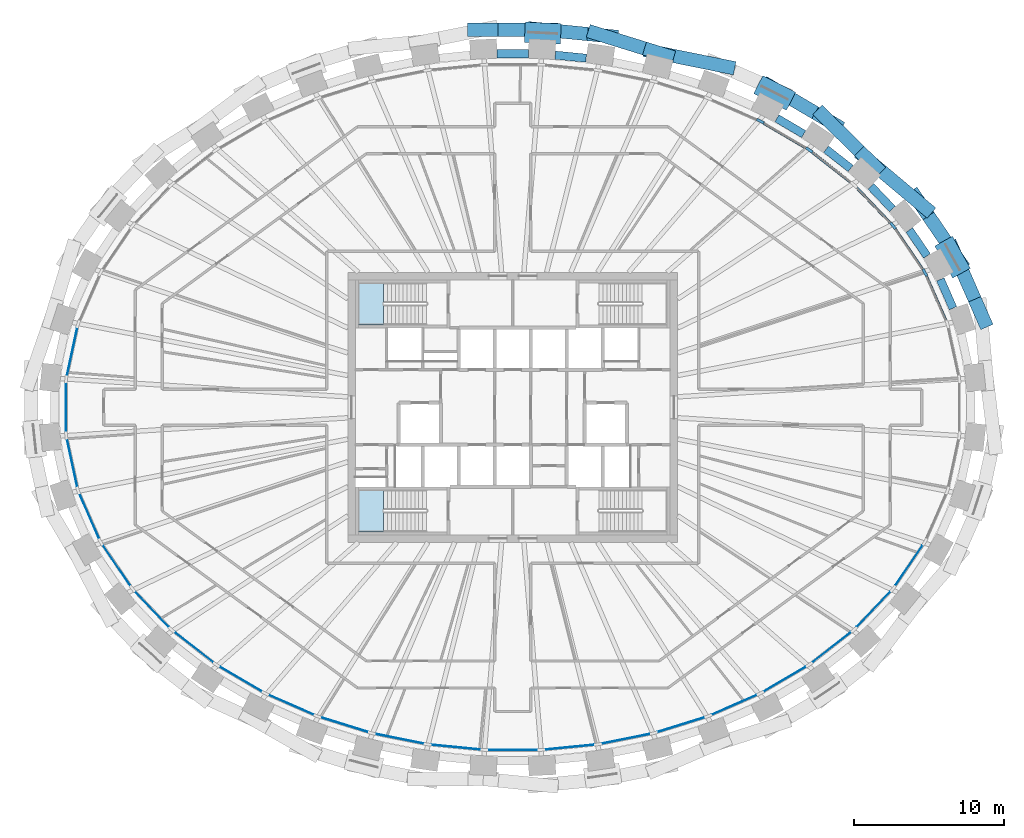
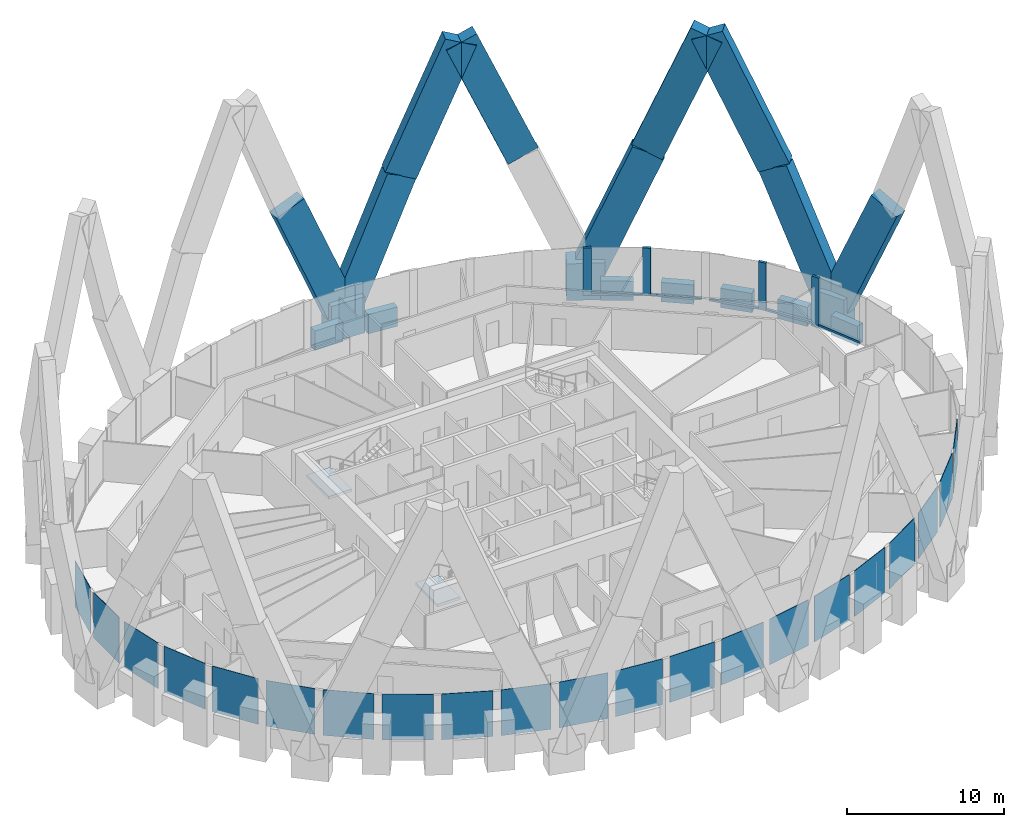
# One storey, part 5 of 14: 21 members, 21 plates, 7 beams, 2 slabs, 3 elements without a shape of their own.
"""IFC4 building model written with IfcOpenShell, lengths in metres."""

from ifc_helpers import new_model, si_unit, direction, frame, origin, origin_2d, place, context, subcontext, project, spatial, polyline, rectangle, outline, extrude, source, transform, mapped, material, layer, layer_set, material_profile, profile_set, type_object, element, aggregate, save


model = new_model("IFC4")

# Units and contexts
model_context = context("Model", 3, precision=1e-05, world=origin(), true_north=direction((0.0, 1.0)))
body_context = subcontext(model_context, "Body", "Model", "MODEL_VIEW")
ifc_project = project(units=[si_unit("LENGTHUNIT", "METRE"), si_unit("AREAUNIT", "SQUARE_METRE"), si_unit("VOLUMEUNIT", "CUBIC_METRE"), si_unit("PLANEANGLEUNIT", "RADIAN"), si_unit("MASSUNIT", "GRAM", prefix="KILO")], contexts=[model_context])

# Site, building, storey
site_placement = place(None, origin())
site = spatial("IfcSite", under=ifc_project, at=site_placement, CompositionType="ELEMENT")
building_placement = place(site_placement, origin())
building = spatial("IfcBuilding", under=site, at=building_placement, Name="Embergate Tower", CompositionType="ELEMENT")
storey_placement = place(building_placement, frame((0.0, 0.0, 297.39990234375)))
storey = spatial("IfcBuildingStorey", under=building, at=storey_placement, Name="L69", CompositionType="ELEMENT", Elevation=297.39990234375)

# Beams
ifc_material_1 = material(Name="Concrete C50", Category="concrete")
ifc_material_profile_1 = material_profile(ifc_material_1, rectangle(XDim=0.550048828125, YDim=1.5, at=origin_2d()), Name="RC 550x1500")
ifc_profile_set_1 = profile_set([ifc_material_profile_1], Name="Concrete C50")
beam_type = type_object("IfcBeamType", Name="Spandrel beam RC 550x1500 C50", PredefinedType="BEAM", material=ifc_profile_set_1)
shared_shape_1 = source(origin(), body_context, "Body", "SweptSolid", [
    extrude(rectangle(XDim=0.550048828125, YDim=1.5, at=origin_2d()), origin(), (0.0, 0.0, 1.0), 2.097900390625),
])
beam_1_placement = place(storey_placement, frame((29.35107421875, 6.60791015625, 0.0), z_axis=(-0.401825860592, 0.91571610107, 0.0), x_axis=(-0.91571610107, -0.401825860592, 0.0)))
element("IfcBeam", 1, at=beam_1_placement, inside=storey, type_object=beam_type, Name="SPN-L69-01", PredefinedType="BEAM", context=body_context, shape_type="MappedRepresentation", body=[
    mapped(shared_shape_1, transform((0.0, 0.0, 0.0))),
])
shared_shape_2 = source(origin(), body_context, "Body", "SweptSolid", [
    extrude(rectangle(XDim=0.550048828125, YDim=1.5, at=origin_2d()), origin(), (0.0, 0.0, 1.0), 2.09033203125),
])
beam_2_placement = place(storey_placement, frame((27.618896484375, 10.093994140625, 0.0), z_axis=(-0.562009695033, 0.827130644269, 0.0), x_axis=(-0.827130644269, -0.562009695033, 0.0)))
element("IfcBeam", 2, at=beam_2_placement, inside=storey, type_object=beam_type, Name="SPN-L69-02", PredefinedType="BEAM", context=body_context, shape_type="MappedRepresentation", body=[
    mapped(shared_shape_2, transform((0.0, 0.0, 0.0))),
])
shared_shape_3 = source(origin(), body_context, "Body", "SweptSolid", [
    extrude(rectangle(XDim=0.550048828125, YDim=1.5, at=origin_2d()), origin(), (0.0, 0.0, 1.0), 2.08447265625),
])
beam_3_placement = place(storey_placement, frame((25.31298828125, 13.222900390625, 0.0), z_axis=(-0.690339235394, 0.72348582576, 0.0), x_axis=(-0.72348582576, -0.690339235394, 0.0)))
element("IfcBeam", 3, at=beam_3_placement, inside=storey, type_object=beam_type, Name="SPN-L69-03", PredefinedType="BEAM", context=body_context, shape_type="MappedRepresentation", body=[
    mapped(shared_shape_3, transform((0.0, 0.0, 0.0))),
])
shared_shape_4 = source(origin(), body_context, "Body", "SweptSolid", [
    extrude(rectangle(XDim=0.550048828125, YDim=1.5, at=origin_2d()), origin(), (0.0, 0.0, 1.0), 2.0791015625),
])
beam_4_placement = place(storey_placement, frame((22.527099609375, 15.925048828125, 0.0), z_axis=(-0.788383845435, 0.615183641084, 0.0), x_axis=(-0.615183641084, -0.788383845435, 0.0)))
element("IfcBeam", 4, at=beam_4_placement, inside=storey, type_object=beam_type, Name="SPN-L69-04", PredefinedType="BEAM", context=body_context, shape_type="MappedRepresentation", body=[
    mapped(shared_shape_4, transform((0.0, 0.0, 0.0))),
])
shared_shape_5 = source(origin(), body_context, "Body", "SweptSolid", [
    extrude(rectangle(XDim=0.550048828125, YDim=1.5, at=origin_2d()), origin(), (0.0, 0.0, 1.0), 2.074462890625),
])
beam_5_placement = place(storey_placement, frame((19.39892578125, 18.216064453125, 0.0), z_axis=(-0.861864620017, 0.507138419726, 0.0), x_axis=(-0.507138419726, -0.861864620017, 0.0)))
element("IfcBeam", 5, at=beam_5_placement, inside=storey, type_object=beam_type, Name="SPN-L69-05", PredefinedType="BEAM", context=body_context, shape_type="MappedRepresentation", body=[
    mapped(shared_shape_5, transform((0.0, 0.0, 0.0))),
])
shared_shape_6 = source(origin(), body_context, "Body", "SweptSolid", [
    extrude(rectangle(XDim=0.550048828125, YDim=1.5, at=origin_2d()), origin(), (0.0, 0.0, 1.0), 2.06884765625),
])
beam_6_placement = place(storey_placement, frame((4.89111328125, 23.279052734375, 0.0), z_axis=(-0.995226952233, 0.097587466149, 0.0), x_axis=(-0.097587466149, -0.995226952233, 0.0)))
element("IfcBeam", 6, at=beam_6_placement, inside=storey, type_object=beam_type, Name="SPN-L69-09", PredefinedType="BEAM", context=body_context, shape_type="MappedRepresentation", body=[
    mapped(shared_shape_6, transform((0.0, 0.0, 0.0))),
])
shared_shape_7 = source(origin(), body_context, "Body", "SweptSolid", [
    extrude(rectangle(XDim=0.550048828125, YDim=1.5, at=origin_2d()), origin(), (0.0, 0.0, 1.0), 2.06982421875),
])
beam_7_placement = place(storey_placement, frame((1.034912109375, 23.569091796875, 0.0), z_axis=(-1.0, 0.0, 0.0), x_axis=(0.0, -1.0, 0.0)))
element("IfcBeam", 7, at=beam_7_placement, inside=storey, type_object=beam_type, Name="SPN-L69-10", PredefinedType="BEAM", context=body_context, shape_type="MappedRepresentation", body=[
    mapped(shared_shape_7, transform((0.0, 0.0, 0.0))),
])

# Members
ifc_material_2 = material(Name="Concrete C70", Category="concrete")
ifc_material_profile_2 = material_profile(ifc_material_2, rectangle(XDim=1.35009765625, YDim=2.449951171875, at=origin_2d()), Name="RC 1350x2450")
ifc_profile_set_2 = profile_set([ifc_material_profile_2], Name="Concrete C70")
member_type_1 = type_object("IfcMemberType", Name="Lattice node block RC 1350x2450", PredefinedType="POST", material=ifc_profile_set_2)
shared_shape_8 = source(origin(), body_context, "Body", "SweptSolid", [
    extrude(rectangle(XDim=1.35009765625, YDim=2.449951171875, at=origin_2d()), origin(), (0.0, 0.0, 1.0), 2.849853515625),
])
for number, where, z_axis, x_axis, name in (
    (8, (29.322998046875, 10.012939453125, -1.4248046875), (0.0, 0.0, 1.0), (0.873500465855, 0.486823311018, 0.0), "NOD-L69-02"),
    (9, (17.462890625, 20.962890625, -1.4248046875), (0.0, 0.0, 1.0), (0.453010512651, 0.891505174089, 0.0), "NOD-L69-06"),
):
    element("IfcMember", number, at=place(storey_placement, frame(where, z_axis=z_axis, x_axis=x_axis)), inside=storey, type_object=member_type_1, Name=name, PredefinedType="POST", context=body_context, shape_type="MappedRepresentation", body=[
        mapped(shared_shape_8, transform((0.0, 0.0, 0.0))),
    ])
ifc_material_profile_3 = material_profile(ifc_material_2, rectangle(XDim=1.35009765625, YDim=2.39990234375, at=origin_2d()), Name="RC 1350x2400")
ifc_profile_set_3 = profile_set([ifc_material_profile_3], Name="Concrete C70")
member_type_2 = type_object("IfcMemberType", Name="Lattice node block RC 1350x2400", PredefinedType="POST", material=ifc_profile_set_3)
shared_shape_9 = source(origin(), body_context, "Body", "SweptSolid", [
    extrude(rectangle(XDim=1.35009765625, YDim=2.39990234375, at=origin_2d()), origin(), (0.0, 0.0, 1.0), 2.800048828125),
])
member_1_placement = place(storey_placement, frame((2.0029296875, 24.95703125, -1.39990234375), z_axis=(0.0, 0.0, 1.0), x_axis=(0.048814904854, 0.998807841912, 0.0)))
element("IfcMember", 10, at=member_1_placement, inside=storey, type_object=member_type_2, Name="NOD-L69-10", PredefinedType="POST", context=body_context, shape_type="MappedRepresentation", body=[
    mapped(shared_shape_9, transform((0.0, 0.0, 0.0))),
])
ifc_material_profile_4 = material_profile(ifc_material_2, rectangle(XDim=0.89990234375, YDim=2.199951171875, at=origin_2d()), Name="RC 900x2200")
ifc_profile_set_4 = profile_set([ifc_material_profile_4], Name="Concrete C70")
member_type_3 = type_object("IfcMemberType", Name="Lattice diagonal terracotta-faced RC 900x2200", PredefinedType="BRACE", material=ifc_profile_set_4)
shared_shape_10 = source(origin(), body_context, "Body", "SweptSolid", [
    extrude(rectangle(XDim=0.89990234375, YDim=2.199951171875, at=origin_2d()), origin(), (0.0, 0.0, 1.0), 10.615478515625),
])
member_2_placement = place(storey_placement, frame((29.52001953125, 10.123046875, 0.0), z_axis=(0.158827549764, -0.362203168439, 0.918467568403), x_axis=(0.915819352976, 0.401590478865, 0.0)))
element("IfcMember", 11, at=member_2_placement, inside=storey, type_object=member_type_3, Name="BRC-L69-02-00-S00", PredefinedType="BRACE", context=body_context, shape_type="MappedRepresentation", body=[
    mapped(shared_shape_10, transform((0.0, 0.0, 0.0))),
])
shared_shape_11 = source(origin(), body_context, "Body", "SweptSolid", [
    extrude(rectangle(XDim=0.89990234375, YDim=2.199951171875, at=origin_2d()), origin(), (0.0, 0.0, 1.0), 10.618896484375),
])
member_3_placement = place(storey_placement, frame((29.52001953125, 10.123046875, 0.0), z_axis=(-0.22329178586, 0.327235583623, 0.918181709237), x_axis=(-0.826019783112, -0.563641125103, 0.0)))
element("IfcMember", 12, at=member_3_placement, inside=storey, type_object=member_type_3, Name="BRC-L69-02-04-S00", PredefinedType="BRACE", context=body_context, shape_type="MappedRepresentation", body=[
    mapped(shared_shape_11, transform((0.0, 0.0, 0.0))),
])
shared_shape_12 = source(origin(), body_context, "Body", "SweptSolid", [
    extrude(rectangle(XDim=0.89990234375, YDim=2.199951171875, at=origin_2d()), origin(), (0.0, 0.0, 1.0), 10.668701171875),
])
member_4_placement = place(storey_placement, frame((27.14892578125, 13.597900390625, 9.75), z_axis=(-0.310989403606, 0.260965648176, 0.913883209889), x_axis=(-0.642808647129, -0.766026790116, 0.0)))
element("IfcMember", 13, at=member_4_placement, inside=storey, type_object=member_type_3, Name="BRC-L69-02-04-S01", PredefinedType="BRACE", context=body_context, shape_type="MappedRepresentation", body=[
    mapped(shared_shape_12, transform((0.0, 0.0, 0.0))),
])
shared_shape_13 = source(origin(), body_context, "Body", "SweptSolid", [
    extrude(rectangle(XDim=0.89990234375, YDim=2.199951171875, at=origin_2d()), origin(), (0.0, 0.0, 1.0), 10.551025390625),
])
member_5_placement = place(storey_placement, frame((17.56494140625, 21.1640625, 0.0), z_axis=(0.329454918888, -0.193720788097, 0.924084256266), x_axis=(0.506871950401, 0.862021360464, 0.0)))
element("IfcMember", 14, at=member_5_placement, inside=storey, type_object=member_type_3, Name="BRC-L69-06-04-S00", PredefinedType="BRACE", context=body_context, shape_type="MappedRepresentation", body=[
    mapped(shared_shape_13, transform((0.0, 0.0, 0.0))),
])
shared_shape_14 = source(origin(), body_context, "Body", "SweptSolid", [
    extrude(rectangle(XDim=0.89990234375, YDim=2.199951171875, at=origin_2d()), origin(), (0.0, 0.0, 1.0), 10.50439453125),
])
member_6_placement = place(storey_placement, frame((21.041015625, 19.1201171875, 9.75), z_axis=(0.26560520469, -0.260654740164, 0.928177236131), x_axis=(0.700424122673, 0.713726872395, 0.0)))
element("IfcMember", 15, at=member_6_placement, inside=storey, type_object=member_type_3, Name="BRC-L69-06-04-S01", PredefinedType="BRACE", context=body_context, shape_type="MappedRepresentation", body=[
    mapped(shared_shape_14, transform((0.0, 0.0, 0.0))),
])
shared_shape_15 = source(origin(), body_context, "Body", "SweptSolid", [
    extrude(rectangle(XDim=0.89990234375, YDim=2.199951171875, at=origin_2d()), origin(), (0.0, 0.0, 1.0), 10.589111328125),
])
member_7_placement = place(storey_placement, frame((13.805908203125, 22.803955078125, 9.75), z_axis=(-0.382354363646, 0.077628264737, 0.920749147768), x_axis=(-0.198967701577, -0.980006047802, 0.0)))
element("IfcMember", 16, at=member_7_placement, inside=storey, type_object=member_type_3, Name="BRC-L69-06-08-S01", PredefinedType="BRACE", context=body_context, shape_type="MappedRepresentation", body=[
    mapped(shared_shape_15, transform((0.0, 0.0, 0.0))),
])
shared_shape_16 = source(origin(), body_context, "Body", "SweptSolid", [
    extrude(rectangle(XDim=0.89990234375, YDim=2.199951171875, at=origin_2d()), origin(), (0.0, 0.0, 1.0), 10.54248046875),
])
member_8_placement = place(storey_placement, frame((2.013916015625, 25.181884765625, 0.0), z_axis=(0.378561873364, -0.037075766762, 0.924833117678), x_axis=(0.097472101938, 0.995238257576, 0.0)))
element("IfcMember", 17, at=member_8_placement, inside=storey, type_object=member_type_3, Name="BRC-L69-10-08-S00", PredefinedType="BRACE", context=body_context, shape_type="MappedRepresentation", body=[
    mapped(shared_shape_16, transform((0.0, 0.0, 0.0))),
])
shared_shape_17 = source(origin(), body_context, "Body", "SweptSolid", [
    extrude(rectangle(XDim=0.89990234375, YDim=2.199951171875, at=origin_2d()), origin(), (0.0, 0.0, 1.0), 10.511962890625),
])
member_9_placement = place(storey_placement, frame((6.0048828125, 24.791015625, 9.75), z_axis=(0.3569495848, -0.110831115796, 0.927525448537), x_axis=(0.296530163539, 0.955023487728, 0.0)))
element("IfcMember", 18, at=member_9_placement, inside=storey, type_object=member_type_3, Name="BRC-L69-10-08-S01", PredefinedType="BRACE", context=body_context, shape_type="MappedRepresentation", body=[
    mapped(shared_shape_17, transform((0.0, 0.0, 0.0))),
])
shared_shape_18 = source(origin(), body_context, "Body", "SweptSolid", [
    extrude(rectangle(XDim=0.89990234375, YDim=2.199951171875, at=origin_2d()), origin(), (0.0, 0.0, 1.0), 10.546630859375),
])
member_10_placement = place(storey_placement, frame((2.013916015625, 25.181884765625, 0.0), z_axis=(-0.381259704448, 0.0, 0.924467975521), x_axis=(0.0, -1.0, 0.0)))
element("IfcMember", 19, at=member_10_placement, inside=storey, type_object=member_type_3, Name="BRC-L69-10-12-S00", PredefinedType="BRACE", context=body_context, shape_type="MappedRepresentation", body=[
    mapped(shared_shape_18, transform((0.0, 0.0, 0.0))),
])

# Curtain wall, members, plates
ifc_material_3 = material(Name="Aluminium and glass", Category="aluminium")
curtain_wall_type = type_object("IfcCurtainWallType", Name="Recessed office glazing", PredefinedType="NOTDEFINED", material=ifc_material_3)
curtain_wall_placement = place(storey_placement, origin())
curtain_wall = element("IfcCurtainWall", 20, at=curtain_wall_placement, inside=storey, type_object=curtain_wall_type, Name="Recessed office glazing ring", ObjectType="RECESSED OFFICE GLAZING", PredefinedType="USERDEFINED")
ifc_material_4 = material(Name="Aluminium, thermally broken", Category="aluminium")
ifc_material_profile_5 = material_profile(ifc_material_4, rectangle(XDim=0.179931640625, YDim=0.52001953125, at=origin_2d()), Name="AL 520x180")
ifc_profile_set_5 = profile_set([ifc_material_profile_5], Name="Aluminium, thermally broken")
member_type_4 = type_object("IfcMemberType", Name="Office mullion", PredefinedType="MULLION", material=ifc_profile_set_5)
shared_shape_19 = source(origin(), body_context, "Body", "SweptSolid", [
    extrude(rectangle(XDim=0.179931640625, YDim=0.52001953125, at=origin_2d()), origin(), (0.0, 0.0, 1.0), 3.7001953125),
])
member_11_placement = place(storey_placement, frame((27.4755859375, 8.983642578125, 0.0), z_axis=(0.0, 0.0, 1.0), x_axis=(-0.87499344622, -0.484134763338, 0.0)))
member_11 = element("IfcMember", 21, at=member_11_placement, type_object=member_type_4, Name="CW mullion 3", PredefinedType="MULLION", context=body_context, shape_type="MappedRepresentation", body=[
    mapped(shared_shape_19, transform((0.0, 0.0, 0.0))),
])
member_12_placement = place(storey_placement, frame((25.357421875, 12.098388671875, 0.0), z_axis=(0.0, 0.0, 1.0), x_axis=(-0.777863789852, -0.628432911643, 0.0)))
member_12 = element("IfcMember", 22, at=member_12_placement, type_object=member_type_4, Name="CW mullion 4", PredefinedType="MULLION", context=body_context, shape_type="MappedRepresentation", body=[
    mapped(shared_shape_19, transform((0.0, 0.0, 0.0))),
])
member_13_placement = place(storey_placement, frame((19.770263671875, 17.15771484375, 0.0), z_axis=(0.0, 0.0, 1.0), x_axis=(-0.562211845055, -0.826993253467, 0.0)))
member_13 = element("IfcMember", 23, at=member_13_placement, type_object=member_type_4, Name="CW mullion 6", PredefinedType="MULLION", context=body_context, shape_type="MappedRepresentation", body=[
    mapped(shared_shape_19, transform((0.0, 0.0, 0.0))),
])
member_14_placement = place(storey_placement, frame((16.504638671875, 19.077880859375, 0.0), z_axis=(0.0, 0.0, 1.0), x_axis=(-0.454508271251, -0.890742516872, 0.0)))
member_14 = element("IfcMember", 24, at=member_14_placement, type_object=member_type_4, Name="CW mullion 7", PredefinedType="MULLION", context=body_context, shape_type="MappedRepresentation", body=[
    mapped(shared_shape_19, transform((0.0, 0.0, 0.0))),
])
ifc_material_profile_6 = material_profile(ifc_material_4, rectangle(XDim=0.179931640625, YDim=0.14990234375, at=origin_2d()), Name="AL 150x180")
ifc_profile_set_6 = profile_set([ifc_material_profile_6], Name="Aluminium, thermally broken")
member_type_5 = type_object("IfcMemberType", Name="Office sill transom", PredefinedType="USERDEFINED", material=ifc_profile_set_6)
shared_shape_20 = source(origin(), body_context, "Body", "SweptSolid", [
    extrude(rectangle(XDim=0.179931640625, YDim=0.14990234375, at=origin_2d()), origin(), (0.0, 0.0, 1.0), 3.23828125),
])
member_15_placement = place(storey_placement, frame((28.880859375, 5.780029296875, 0.0751953125), z_axis=(-0.401684789579, 0.915777991557, 0.0), x_axis=(-0.915777991557, -0.401684789579, 0.0)))
member_15 = element("IfcMember", 25, at=member_15_placement, type_object=member_type_5, Name="CW transom 2.1", ObjectType="TRANSOM", PredefinedType="USERDEFINED", context=body_context, shape_type="MappedRepresentation", body=[
    mapped(shared_shape_20, transform((0.0, 0.0, 0.0))),
])
shared_shape_21 = source(origin(), body_context, "Body", "SweptSolid", [
    extrude(rectangle(XDim=0.179931640625, YDim=0.14990234375, at=origin_2d()), origin(), (0.0, 0.0, 1.0), 3.246826171875),
])
member_16_placement = place(storey_placement, frame((27.32958984375, 9.19873046875, 0.0751953125), z_axis=(-0.562363493995, 0.826890138182, 0.0), x_axis=(-0.826890138182, -0.562363493995, 0.0)))
member_16 = element("IfcMember", 26, at=member_16_placement, type_object=member_type_5, Name="CW transom 3.1", ObjectType="TRANSOM", PredefinedType="USERDEFINED", context=body_context, shape_type="MappedRepresentation", body=[
    mapped(shared_shape_21, transform((0.0, 0.0, 0.0))),
])
shared_shape_22 = source(origin(), body_context, "Body", "SweptSolid", [
    extrude(rectangle(XDim=0.179931640625, YDim=0.14990234375, at=origin_2d()), origin(), (0.0, 0.0, 1.0), 3.255126953125),
])
member_17_placement = place(storey_placement, frame((25.177978515625, 12.28662109375, 0.0751953125), z_axis=(-0.690106396673, 0.723707925389, 0.0), x_axis=(-0.723707925389, -0.690106396673, 0.0)))
member_17 = element("IfcMember", 27, at=member_17_placement, type_object=member_type_5, Name="CW transom 4.1", ObjectType="TRANSOM", PredefinedType="USERDEFINED", context=body_context, shape_type="MappedRepresentation", body=[
    mapped(shared_shape_22, transform((0.0, 0.0, 0.0))),
])
shared_shape_23 = source(origin(), body_context, "Body", "SweptSolid", [
    extrude(rectangle(XDim=0.179931640625, YDim=0.14990234375, at=origin_2d()), origin(), (0.0, 0.0, 1.0), 3.262451171875),
])
member_18_placement = place(storey_placement, frame((22.547119140625, 14.990478515625, 0.0751953125), z_axis=(-0.788303389344, 0.615286735066, 0.0), x_axis=(-0.615286735066, -0.788303389344, 0.0)))
member_18 = element("IfcMember", 28, at=member_18_placement, type_object=member_type_5, Name="CW transom 5.1", ObjectType="TRANSOM", PredefinedType="USERDEFINED", context=body_context, shape_type="MappedRepresentation", body=[
    mapped(shared_shape_23, transform((0.0, 0.0, 0.0))),
])
shared_shape_24 = source(origin(), body_context, "Body", "SweptSolid", [
    extrude(rectangle(XDim=0.179931640625, YDim=0.14990234375, at=origin_2d()), origin(), (0.0, 0.0, 1.0), 3.268310546875),
])
member_19_placement = place(storey_placement, frame((19.546142578125, 17.28955078125, 0.0751953125), z_axis=(-0.862039813646, 0.506840566342, 0.0), x_axis=(-0.506840566342, -0.862039813646, 0.0)))
member_19 = element("IfcMember", 29, at=member_19_placement, type_object=member_type_5, Name="CW transom 6.1", ObjectType="TRANSOM", PredefinedType="USERDEFINED", context=body_context, shape_type="MappedRepresentation", body=[
    mapped(shared_shape_24, transform((0.0, 0.0, 0.0))),
])
ifc_material_5 = material(Name="Triple glazing, low-emissivity coating", Category="glass")
ifc_layer_1 = layer(ifc_material_5, 0.035888671875)
ifc_layer_set_1 = layer_set([ifc_layer_1], Name="Triple glazing, low-emissivity coating")
plate_type = type_object("IfcPlateType", Name="Office glazing unit", PredefinedType="CURTAIN_PANEL", material=ifc_layer_set_1)
shared_shape_25 = source(origin(), body_context, "Body", "SweptSolid", [
    extrude(rectangle(XDim=3.2314453125, YDim=0.035888671875, at=origin_2d()), origin(), (0.0, 0.0, 1.0), 3.550048828125),
])
plate_1_placement = place(storey_placement, frame((-29.3798828125, 3.708251953125, 0.14990234375), z_axis=(0.0, 0.0, 1.0), x_axis=(-0.210398391177, -0.97761573074, 0.0)))
plate_1 = element("IfcPlate", 30, at=plate_1_placement, type_object=plate_type, Name="CW panel 21.1", PredefinedType="CURTAIN_PANEL", context=body_context, shape_type="MappedRepresentation", body=[
    mapped(shared_shape_25, transform((0.0, 0.0, 0.0))),
])
plate_2_placement = place(storey_placement, frame((-29.3798828125, -3.708251953125, 0.14990234375), z_axis=(0.0, 0.0, 1.0), x_axis=(0.210398391177, -0.97761573074, 0.0)))
plate_2 = element("IfcPlate", 31, at=plate_2_placement, type_object=plate_type, Name="CW panel 23.1", PredefinedType="CURTAIN_PANEL", context=body_context, shape_type="MappedRepresentation", body=[
    mapped(shared_shape_25, transform((0.0, 0.0, 0.0))),
])
shared_shape_26 = source(origin(), body_context, "Body", "SweptSolid", [
    extrude(rectangle(XDim=3.23828125, YDim=0.035888671875, at=origin_2d()), origin(), (0.0, 0.0, 1.0), 3.550048828125),
])
plate_3_placement = place(storey_placement, frame((-28.23046875, -7.2626953125, 0.14990234375), z_axis=(0.0, 0.0, 1.0), x_axis=(0.401653699516, -0.915791627864, 0.0)))
plate_3 = element("IfcPlate", 32, at=plate_3_placement, type_object=plate_type, Name="CW panel 24.1", PredefinedType="CURTAIN_PANEL", context=body_context, shape_type="MappedRepresentation", body=[
    mapped(shared_shape_26, transform((0.0, 0.0, 0.0))),
])
shared_shape_27 = source(origin(), body_context, "Body", "SweptSolid", [
    extrude(rectangle(XDim=3.246826171875, YDim=0.035888671875, at=origin_2d()), origin(), (0.0, 0.0, 1.0), 3.550048828125),
])
plate_4_placement = place(storey_placement, frame((-26.41650390625, -10.541015625, 0.14990234375), z_axis=(0.0, 0.0, 1.0), x_axis=(0.562341741915, -0.826904931234, 0.0)))
plate_4 = element("IfcPlate", 33, at=plate_4_placement, type_object=plate_type, Name="CW panel 25.1", PredefinedType="CURTAIN_PANEL", context=body_context, shape_type="MappedRepresentation", body=[
    mapped(shared_shape_27, transform((0.0, 0.0, 0.0))),
])
plate_5_placement = place(storey_placement, frame((26.41650390625, -10.541015625, 0.14990234375), z_axis=(0.0, 0.0, 1.0), x_axis=(0.562341741915, 0.826904931234, 0.0)))
plate_5 = element("IfcPlate", 34, at=plate_5_placement, type_object=plate_type, Name="CW panel 41.1", PredefinedType="CURTAIN_PANEL", context=body_context, shape_type="MappedRepresentation", body=[
    mapped(shared_shape_27, transform((0.0, 0.0, 0.0))),
])
shared_shape_28 = source(origin(), body_context, "Body", "SweptSolid", [
    extrude(rectangle(XDim=3.255126953125, YDim=0.035888671875, at=origin_2d()), origin(), (0.0, 0.0, 1.0), 3.550048828125),
])
plate_6_placement = place(storey_placement, frame((-24.0546875, -13.464599609375, 0.14990234375), z_axis=(0.0, 0.0, 1.0), x_axis=(0.690133784465, -0.723681808215, 0.0)))
plate_6 = element("IfcPlate", 35, at=plate_6_placement, type_object=plate_type, Name="CW panel 26.1", PredefinedType="CURTAIN_PANEL", context=body_context, shape_type="MappedRepresentation", body=[
    mapped(shared_shape_28, transform((0.0, 0.0, 0.0))),
])
plate_7_placement = place(storey_placement, frame((24.0546875, -13.464599609375, 0.14990234375), z_axis=(0.0, 0.0, 1.0), x_axis=(0.690133784465, 0.723681808215, 0.0)))
plate_7 = element("IfcPlate", 36, at=plate_7_placement, type_object=plate_type, Name="CW panel 40.1", PredefinedType="CURTAIN_PANEL", context=body_context, shape_type="MappedRepresentation", body=[
    mapped(shared_shape_28, transform((0.0, 0.0, 0.0))),
])
shared_shape_29 = source(origin(), body_context, "Body", "SweptSolid", [
    extrude(rectangle(XDim=3.262451171875, YDim=0.035888671875, at=origin_2d()), origin(), (0.0, 0.0, 1.0), 3.550048828125),
])
plate_8_placement = place(storey_placement, frame((-21.26123046875, -15.994140625, 0.14990234375), z_axis=(0.0, 0.0, 1.0), x_axis=(0.788317971569, -0.615268051911, 0.0)))
plate_8 = element("IfcPlate", 37, at=plate_8_placement, type_object=plate_type, Name="CW panel 27.1", PredefinedType="CURTAIN_PANEL", context=body_context, shape_type="MappedRepresentation", body=[
    mapped(shared_shape_29, transform((0.0, 0.0, 0.0))),
])
plate_9_placement = place(storey_placement, frame((21.26123046875, -15.994140625, 0.14990234375), z_axis=(0.0, 0.0, 1.0), x_axis=(0.788317971569, 0.615268051911, 0.0)))
plate_9 = element("IfcPlate", 38, at=plate_9_placement, type_object=plate_type, Name="CW panel 39.1", PredefinedType="CURTAIN_PANEL", context=body_context, shape_type="MappedRepresentation", body=[
    mapped(shared_shape_29, transform((0.0, 0.0, 0.0))),
])
shared_shape_30 = source(origin(), body_context, "Body", "SweptSolid", [
    extrude(rectangle(XDim=3.268310546875, YDim=0.035888671875, at=origin_2d()), origin(), (0.0, 0.0, 1.0), 3.550048828125),
])
plate_10_placement = place(storey_placement, frame((-18.137451171875, -18.117919921875, 0.14990234375), z_axis=(0.0, 0.0, 1.0), x_axis=(0.862051398678, -0.50682086188, 0.0)))
plate_10 = element("IfcPlate", 39, at=plate_10_placement, type_object=plate_type, Name="CW panel 28.1", PredefinedType="CURTAIN_PANEL", context=body_context, shape_type="MappedRepresentation", body=[
    mapped(shared_shape_30, transform((0.0, 0.0, 0.0))),
])
plate_11_placement = place(storey_placement, frame((18.137451171875, -18.117919921875, 0.14990234375), z_axis=(0.0, 0.0, 1.0), x_axis=(0.862051398678, 0.50682086188, 0.0)))
plate_11 = element("IfcPlate", 40, at=plate_11_placement, type_object=plate_type, Name="CW panel 38.1", PredefinedType="CURTAIN_PANEL", context=body_context, shape_type="MappedRepresentation", body=[
    mapped(shared_shape_30, transform((0.0, 0.0, 0.0))),
])
shared_shape_31 = source(origin(), body_context, "Body", "SweptSolid", [
    extrude(rectangle(XDim=3.272705078125, YDim=0.035888671875, at=origin_2d()), origin(), (0.0, 0.0, 1.0), 3.550048828125),
])
plate_12_placement = place(storey_placement, frame((-14.76708984375, -19.837646484375, 0.14990234375), z_axis=(0.0, 0.0, 1.0), x_axis=(0.916234813243, -0.400641694037, 0.0)))
plate_12 = element("IfcPlate", 41, at=plate_12_placement, type_object=plate_type, Name="CW panel 29.1", PredefinedType="CURTAIN_PANEL", context=body_context, shape_type="MappedRepresentation", body=[
    mapped(shared_shape_31, transform((0.0, 0.0, 0.0))),
])
plate_13_placement = place(storey_placement, frame((14.76708984375, -19.837646484375, 0.14990234375), z_axis=(0.0, 0.0, 1.0), x_axis=(0.916234813243, 0.400641694037, 0.0)))
plate_13 = element("IfcPlate", 42, at=plate_13_placement, type_object=plate_type, Name="CW panel 37.1", PredefinedType="CURTAIN_PANEL", context=body_context, shape_type="MappedRepresentation", body=[
    mapped(shared_shape_31, transform((0.0, 0.0, 0.0))),
])
shared_shape_32 = source(origin(), body_context, "Body", "SweptSolid", [
    extrude(rectangle(XDim=3.27587890625, YDim=0.035888671875, at=origin_2d()), origin(), (0.0, 0.0, 1.0), 3.550048828125),
])
plate_14_placement = place(storey_placement, frame((-11.21728515625, -21.16162109375, 0.14990234375), z_axis=(0.0, 0.0, 1.0), x_axis=(0.954771179262, -0.297341546458, 0.0)))
plate_14 = element("IfcPlate", 43, at=plate_14_placement, type_object=plate_type, Name="CW panel 30.1", PredefinedType="CURTAIN_PANEL", context=body_context, shape_type="MappedRepresentation", body=[
    mapped(shared_shape_32, transform((0.0, 0.0, 0.0))),
])
plate_15_placement = place(storey_placement, frame((11.21728515625, -21.16162109375, 0.14990234375), z_axis=(0.0, 0.0, 1.0), x_axis=(0.954771179262, 0.297341546458, 0.0)))
plate_15 = element("IfcPlate", 44, at=plate_15_placement, type_object=plate_type, Name="CW panel 36.1", PredefinedType="CURTAIN_PANEL", context=body_context, shape_type="MappedRepresentation", body=[
    mapped(shared_shape_32, transform((0.0, 0.0, 0.0))),
])
shared_shape_33 = source(origin(), body_context, "Body", "SweptSolid", [
    extrude(rectangle(XDim=3.2783203125, YDim=0.035888671875, at=origin_2d()), origin(), (0.0, 0.0, 1.0), 3.550048828125),
])
plate_16_placement = place(storey_placement, frame((-7.543212890625, -22.099609375, 0.14990234375), z_axis=(0.0, 0.0, 1.0), x_axis=(0.980475564207, -0.196640962142, 0.0)))
plate_16 = element("IfcPlate", 45, at=plate_16_placement, type_object=plate_type, Name="CW panel 31.1", PredefinedType="CURTAIN_PANEL", context=body_context, shape_type="MappedRepresentation", body=[
    mapped(shared_shape_33, transform((0.0, 0.0, 0.0))),
])
plate_17_placement = place(storey_placement, frame((7.543212890625, -22.099609375, 0.14990234375), z_axis=(0.0, 0.0, 1.0), x_axis=(0.980475564207, 0.196640962142, 0.0)))
plate_17 = element("IfcPlate", 46, at=plate_17_placement, type_object=plate_type, Name="CW panel 35.1", PredefinedType="CURTAIN_PANEL", context=body_context, shape_type="MappedRepresentation", body=[
    mapped(shared_shape_33, transform((0.0, 0.0, 0.0))),
])
shared_shape_34 = source(origin(), body_context, "Body", "SweptSolid", [
    extrude(rectangle(XDim=3.279296875, YDim=0.035888671875, at=origin_2d()), origin(), (0.0, 0.0, 1.0), 3.550048828125),
])
plate_18_placement = place(storey_placement, frame((-3.79052734375, -22.65869140625, 0.14990234375), z_axis=(0.0, 0.0, 1.0), x_axis=(0.995203184788, -0.097829550688, 0.0)))
plate_18 = element("IfcPlate", 47, at=plate_18_placement, type_object=plate_type, Name="CW panel 32.1", PredefinedType="CURTAIN_PANEL", context=body_context, shape_type="MappedRepresentation", body=[
    mapped(shared_shape_34, transform((0.0, 0.0, 0.0))),
])
plate_19_placement = place(storey_placement, frame((3.79052734375, -22.65869140625, 0.14990234375), z_axis=(0.0, 0.0, 1.0), x_axis=(0.995203184788, 0.097829550688, 0.0)))
plate_19 = element("IfcPlate", 48, at=plate_19_placement, type_object=plate_type, Name="CW panel 34.1", PredefinedType="CURTAIN_PANEL", context=body_context, shape_type="MappedRepresentation", body=[
    mapped(shared_shape_34, transform((0.0, 0.0, 0.0))),
])
shared_shape_35 = source(origin(), body_context, "Body", "SweptSolid", [
    extrude(rectangle(XDim=3.27978515625, YDim=0.035888671875, at=origin_2d()), origin(), (0.0, 0.0, 1.0), 3.550048828125),
])
plate_20_placement = place(storey_placement, frame((0.0, -22.844482421875, 0.14990234375), z_axis=(0.0, 0.0, 1.0), x_axis=(1.0, 0.0, 0.0)))
plate_20 = element("IfcPlate", 49, at=plate_20_placement, type_object=plate_type, Name="CW panel 33.1", PredefinedType="CURTAIN_PANEL", context=body_context, shape_type="MappedRepresentation", body=[
    mapped(shared_shape_35, transform((0.0, 0.0, 0.0))),
])
shared_shape_36 = source(origin(), body_context, "Body", "SweptSolid", [
    extrude(rectangle(XDim=3.22900390625, YDim=0.035888671875, at=origin_2d()), origin(), (0.0, 0.0, 1.0), 3.550048828125),
])
plate_21_placement = place(storey_placement, frame((-29.774658203125, 0.0, 0.14990234375), z_axis=(0.0, 0.0, 1.0), x_axis=(0.0, -1.0, 0.0)))
plate_21 = element("IfcPlate", 50, at=plate_21_placement, type_object=plate_type, Name="CW panel 22.1", PredefinedType="CURTAIN_PANEL", context=body_context, shape_type="MappedRepresentation", body=[
    mapped(shared_shape_36, transform((0.0, 0.0, 0.0))),
])
aggregate(curtain_wall, [member_11, member_12, member_13, member_14, member_15, member_16, member_17, member_18, member_19, plate_1, plate_21, plate_2, plate_3, plate_4, plate_6, plate_8, plate_10, plate_12, plate_14, plate_16, plate_18, plate_20, plate_19, plate_17, plate_15, plate_13, plate_11, plate_9, plate_7, plate_5])

# Stair, slab
ifc_material_6 = material(Name="Exit stair")
stair_type = type_object("IfcStairType", Name="Exit stair", PredefinedType="HALF_TURN_STAIR", material=ifc_material_6)
stair_1_placement = place(storey_placement, origin())
stair_1 = element("IfcStair", 51, at=stair_1_placement, inside=storey, type_object=stair_type, Name="L69 Exit stair 1", PredefinedType="HALF_TURN_STAIR")
ifc_material_7 = material(Name="Concrete C40", Category="concrete")
ifc_layer_2 = layer(ifc_material_7, 0.199951171875)
ifc_layer_set_2 = layer_set([ifc_layer_2], Name="Concrete C40")
slab_type = type_object("IfcSlabType", Name="Stair landing reinforced concrete", PredefinedType="LANDING", material=ifc_layer_set_2)
shared_shape_37 = source(origin(), body_context, "Body", "SweptSolid", [
    extrude(outline(polyline([(0.0, 0.0), (1.68994140625, 0.0), (1.68994140625, 2.800048828125), (0.0, 2.800048828125), (0.0, 0.0)])), origin(), (0.0, 0.0, 1.0), 0.2001953125),
])
slab_1_placement = place(storey_placement, frame((-10.300048828125, 5.5, 1.75)))
slab_1 = element("IfcSlab", 52, at=slab_1_placement, type_object=slab_type, Name="ST1 landing 1", PredefinedType="LANDING", context=body_context, shape_type="MappedRepresentation", body=[
    mapped(shared_shape_37, transform((0.0, 0.0, 0.0))),
])
aggregate(stair_1, [slab_1])

stair_2_placement = place(storey_placement, origin())
stair_2 = element("IfcStair", 53, at=stair_2_placement, inside=storey, type_object=stair_type, Name="L69 Exit stair 3", PredefinedType="HALF_TURN_STAIR")
slab_2_placement = place(storey_placement, frame((-10.300048828125, -8.300048828125, 1.75)))
slab_2 = element("IfcSlab", 54, at=slab_2_placement, type_object=slab_type, Name="ST3 landing 1", PredefinedType="LANDING", context=body_context, shape_type="MappedRepresentation", body=[
    mapped(shared_shape_37, transform((0.0, 0.0, 0.0))),
])
aggregate(stair_2, [slab_2])

save(model, "model.ifc")
